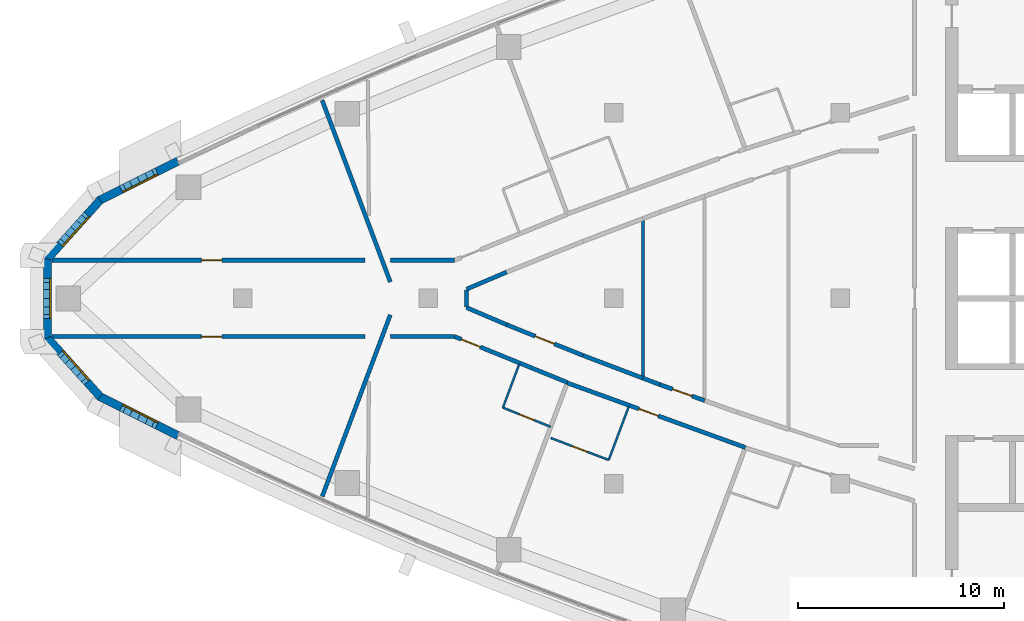
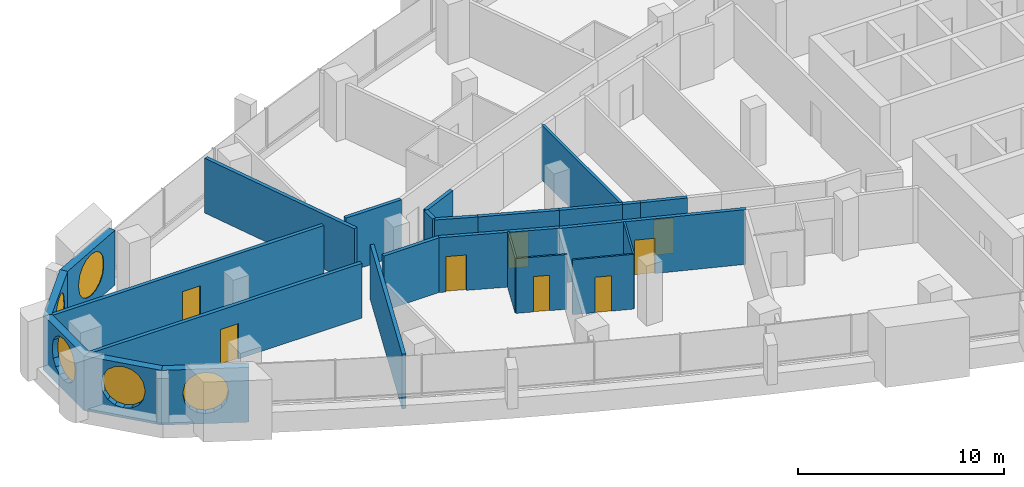
# One storey, part 8 of 15: 25 walls, 8 doors, 5 windows, 13 openings.
"""IFC4 building model written with IfcOpenShell, lengths in metres."""

from ifc_helpers import new_model, si_unit, direction, frame, frame_2d, origin, place, context, subcontext, project, spatial, polyline, rectangle, outline, extrude, material, layer, layer_set, type_object, element, fill, save


model = new_model("IFC4")

# Units and contexts
model_context = context("Model", 3, precision=1e-05, world=origin(), true_north=direction((0.0, 1.0)))
body_context = subcontext(model_context, "Body", "Model", "MODEL_VIEW")
ifc_project = project(units=[si_unit("LENGTHUNIT", "METRE"), si_unit("AREAUNIT", "SQUARE_METRE"), si_unit("VOLUMEUNIT", "CUBIC_METRE"), si_unit("PLANEANGLEUNIT", "RADIAN"), si_unit("MASSUNIT", "GRAM", prefix="KILO")], contexts=[model_context])

# Site, building, storey
site_placement = place(None, origin())
site = spatial("IfcSite", under=ifc_project, at=site_placement, CompositionType="ELEMENT")
building_placement = place(site_placement, origin())
building = spatial("IfcBuilding", under=site, at=building_placement, Name="Ostrand Prow Hotel Tower", CompositionType="ELEMENT")
storey_placement = place(building_placement, frame((0.0, 0.0, 242.10009765625)))
storey = spatial("IfcBuildingStorey", under=building, at=storey_placement, Name="L61", CompositionType="ELEMENT", Elevation=242.10009765625)

# Wall
ifc_material_1 = material(Name="Plasterboard partition")
ifc_layer_1 = layer(ifc_material_1, 0.10009765625)
ifc_layer_set_1 = layer_set([ifc_layer_1], Name="Plasterboard partition")
wall_type_1 = type_object("IfcWallType", Name="Partition 100 bathroom wall", PredefinedType="PARTITIONING", material=ifc_layer_set_1)
wall_1_placement = place(storey_placement, frame((28.617919921875, -5.30078125, 0.0), z_axis=(0.0, 0.0, 1.0), x_axis=(0.351064703731, 0.936351202164, 0.0)))
element("IfcWall", 1, at=wall_1_placement, inside=storey, type_object=wall_type_1, Name="BATHROOM WALL", PredefinedType="PARTITIONING", context=body_context, shape_type="SweptSolid", body=[
    extrude(rectangle(XDim=2.277587890625, YDim=0.10009765625, at=frame_2d((1.138671875, 0.0))), origin(), (0.0, 0.0, 1.0), 3.25),
])

# Wall, opening, door
wall_2_placement = place(storey_placement, frame((30.9375, -6.235107421875, 0.0), z_axis=(0.0, 0.0, 1.0), x_axis=(-0.92761232595, 0.373544338394, 0.0)))
wall_2 = element("IfcWall", 2, at=wall_2_placement, inside=storey, type_object=wall_type_1, Name="BATHROOM WALL", PredefinedType="PARTITIONING", context=body_context, shape_type="SweptSolid", body=[
    extrude(rectangle(XDim=2.50048828125, YDim=0.10009765625, at=frame_2d((1.250244140625, 0.0))), origin(), (0.0, 0.0, 1.0), 3.25),
])
opening_1_placement = place(wall_2_placement, frame((0.85009765625, 0.0, 0.0)))
opening_1 = element("IfcOpeningElement", 3, at=opening_1_placement, cuts=wall_2, Name="Opening D2", PredefinedType="OPENING", context=body_context, shape_type="SweptSolid", body=[
    extrude(rectangle(XDim=0.800048828125, YDim=2.10009765625, at=frame_2d((0.39990234375, 1.050048828125))), frame((0.0, 0.06005859375, 0.0), z_axis=(0.0, -1.0, 0.0), x_axis=(1.0, 0.0, 0.0)), (0.0, 0.0, 1.0), 0.1201171875),
])
ifc_material_2 = material(Name="Timber door leaf", Category="wood")
door_type_1 = type_object("IfcDoorType", Name="Bathroom door 800", OperationType="SINGLE_SWING_LEFT", PredefinedType="DOOR", material=ifc_material_2)
door_1_placement = place(opening_1_placement, origin())
door_1 = element("IfcDoor", 4, at=door_1_placement, inside=storey, type_object=door_type_1, Name="DOOR", OperationType="SINGLE_SWING_LEFT", OverallHeight=2.10009765625, OverallWidth=0.800048828125, PredefinedType="DOOR", context=body_context, shape_type="SweptSolid", body=[
    extrude(rectangle(XDim=0.800048828125, YDim=2.10009765625, at=frame_2d((0.39990234375, 1.050048828125))), frame((0.0, 0.02490234375, 0.0), z_axis=(0.0, -1.0, 0.0), x_axis=(1.0, 0.0, 0.0)), (0.0, 0.0, 1.0), 0.050048828125),
])
fill(opening_1, door_1)

# Wall
wall_3_placement = place(storey_placement, frame((34.7275390625, -5.241943359375, 0.0), z_axis=(0.0, 0.0, 1.0), x_axis=(-0.351113807562, -0.936332790272, 0.0)))
element("IfcWall", 5, at=wall_3_placement, inside=storey, type_object=wall_type_1, Name="BATHROOM WALL", PredefinedType="PARTITIONING", context=body_context, shape_type="SweptSolid", body=[
    extrude(rectangle(XDim=2.777099609375, YDim=0.10009765625, at=frame_2d((1.388671875, 0.0))), origin(), (0.0, 0.0, 1.0), 3.25),
])

# Wall, opening, door
wall_4_placement = place(storey_placement, frame((33.752197265625, -7.84228515625, 0.0), z_axis=(0.0, 0.0, 1.0), x_axis=(-0.934929871592, 0.354832545302, 0.0)))
wall_4 = element("IfcWall", 6, at=wall_4_placement, inside=storey, type_object=wall_type_1, Name="BATHROOM WALL", PredefinedType="PARTITIONING", context=body_context, shape_type="SweptSolid", body=[
    extrude(rectangle(XDim=3.012939453125, YDim=0.10009765625, at=frame_2d((1.50634765625, 0.0))), origin(), (0.0, 0.0, 1.0), 3.25),
])
opening_2_placement = place(wall_4_placement, frame((1.10009765625, 0.0, 0.0)))
opening_2 = element("IfcOpeningElement", 7, at=opening_2_placement, cuts=wall_4, Name="Opening D2", PredefinedType="OPENING", context=body_context, shape_type="SweptSolid", body=[
    extrude(rectangle(XDim=0.800048828125, YDim=2.10009765625, at=frame_2d((0.39990234375, 1.050048828125))), frame((0.0, 0.06005859375, 0.0), z_axis=(0.0, -1.0, 0.0), x_axis=(1.0, 0.0, 0.0)), (0.0, 0.0, 1.0), 0.1201171875),
])
door_2_placement = place(opening_2_placement, origin())
door_2 = element("IfcDoor", 8, at=door_2_placement, inside=storey, type_object=door_type_1, Name="DOOR", OperationType="SINGLE_SWING_LEFT", OverallHeight=2.10009765625, OverallWidth=0.800048828125, PredefinedType="DOOR", context=body_context, shape_type="SweptSolid", body=[
    extrude(rectangle(XDim=0.800048828125, YDim=2.10009765625, at=frame_2d((0.39990234375, 1.050048828125))), frame((0.0, 0.02490234375, 0.0), z_axis=(0.0, -1.0, 0.0), x_axis=(1.0, 0.0, 0.0)), (0.0, 0.0, 1.0), 0.050048828125),
])
fill(opening_2, door_2)

# Wall
ifc_material_3 = material(Name="Plasterboard partition")
ifc_layer_2 = layer(ifc_material_3, 0.14990234375)
ifc_layer_set_2 = layer_set([ifc_layer_2], Name="Plasterboard partition")
wall_type_2 = type_object("IfcWallType", Name="Partition 150 room partition", PredefinedType="PARTITIONING", material=ifc_layer_set_2)
wall_5_placement = place(storey_placement, frame((35.409912109375, -3.871826171875, 0.0), z_axis=(0.0, 0.0, 1.0), x_axis=(0.0, 1.0, 0.0)))
element("IfcWall", 9, at=wall_5_placement, inside=storey, type_object=wall_type_2, Name="ROOM PARTITION", PredefinedType="PARTITIONING", context=body_context, shape_type="SweptSolid", body=[
    extrude(rectangle(XDim=7.74365234375, YDim=0.14990234375, at=frame_2d((3.871826171875, 0.0))), origin(), (0.0, 0.0, 1.0), 3.25),
])

# Wall, opening, door
ifc_material_4 = material(Name="Plasterboard partition")
ifc_layer_3 = layer(ifc_material_4, 0.199951171875)
ifc_layer_set_3 = layer_set([ifc_layer_3], Name="Plasterboard partition")
wall_type_3 = type_object("IfcWallType", Name="Partition 200 corridor wall", PredefinedType="PARTITIONING", material=ifc_layer_set_3)
wall_6_placement = place(storey_placement, frame((6.724609375, 1.85009765625, 0.0), z_axis=(0.0, 0.0, 1.0), x_axis=(1.0, 0.0, 0.0)))
wall_6 = element("IfcWall", 10, at=wall_6_placement, inside=storey, type_object=wall_type_3, Name="CORRIDOR WALL", PredefinedType="PARTITIONING", context=body_context, shape_type="SweptSolid", body=[
    extrude(rectangle(XDim=15.187744140625, YDim=0.199951171875, at=frame_2d((7.59375, 0.0))), origin(), (0.0, 0.0, 1.0), 3.25),
])
opening_3_placement = place(wall_6_placement, frame((7.257080078125, 0.0, 0.0)))
opening_3 = element("IfcOpeningElement", 11, at=opening_3_placement, cuts=wall_6, Name="Opening D1", PredefinedType="OPENING", context=body_context, shape_type="SweptSolid", body=[
    extrude(rectangle(XDim=1.0, YDim=2.10009765625, at=frame_2d((0.5, 1.050048828125))), frame((0.0, 0.10986328125, 0.0), z_axis=(0.0, -1.0, 0.0), x_axis=(1.0, 0.0, 0.0)), (0.0, 0.0, 1.0), 0.219970703125),
])
ifc_material_5 = material(Name="Timber door leaf", Category="wood")
door_type_2 = type_object("IfcDoorType", Name="Guest room door 1000", OperationType="SINGLE_SWING_LEFT", PredefinedType="DOOR", material=ifc_material_5)
door_3_placement = place(opening_3_placement, origin())
door_3 = element("IfcDoor", 12, at=door_3_placement, inside=storey, type_object=door_type_2, Name="DOOR", OperationType="SINGLE_SWING_LEFT", OverallHeight=2.10009765625, OverallWidth=1.0, PredefinedType="DOOR", context=body_context, shape_type="SweptSolid", body=[
    extrude(rectangle(XDim=1.0, YDim=2.10009765625, at=frame_2d((0.5, 1.050048828125))), frame((0.0, 0.02490234375, 0.0), z_axis=(0.0, -1.0, 0.0), x_axis=(1.0, 0.0, 0.0)), (0.0, 0.0, 1.0), 0.050048828125),
])
fill(opening_3, door_3)

wall_7_placement = place(storey_placement, frame((6.724609375, -1.85009765625, 0.0), z_axis=(0.0, 0.0, 1.0), x_axis=(1.0, 0.0, 0.0)))
wall_7 = element("IfcWall", 13, at=wall_7_placement, inside=storey, type_object=wall_type_3, Name="CORRIDOR WALL", PredefinedType="PARTITIONING", context=body_context, shape_type="SweptSolid", body=[
    extrude(rectangle(XDim=15.187744140625, YDim=0.199951171875, at=frame_2d((7.59375, 0.0))), origin(), (0.0, 0.0, 1.0), 3.25),
])
opening_4_placement = place(wall_7_placement, frame((7.257080078125, 0.0, 0.0)))
opening_4 = element("IfcOpeningElement", 14, at=opening_4_placement, cuts=wall_7, Name="Opening D1R", PredefinedType="OPENING", context=body_context, shape_type="SweptSolid", body=[
    extrude(rectangle(XDim=1.0, YDim=2.10009765625, at=frame_2d((0.5, 1.050048828125))), frame((0.0, 0.10986328125, 0.0), z_axis=(0.0, -1.0, 0.0), x_axis=(1.0, 0.0, 0.0)), (0.0, 0.0, 1.0), 0.219970703125),
])
ifc_material_6 = material(Name="Timber door leaf", Category="wood")
door_type_3 = type_object("IfcDoorType", Name="Guest room door 1000 right", OperationType="SINGLE_SWING_RIGHT", PredefinedType="DOOR", material=ifc_material_6)
door_4_placement = place(opening_4_placement, origin())
door_4 = element("IfcDoor", 15, at=door_4_placement, inside=storey, type_object=door_type_3, Name="DOOR", OperationType="SINGLE_SWING_RIGHT", OverallHeight=2.10009765625, OverallWidth=1.0, PredefinedType="DOOR", context=body_context, shape_type="SweptSolid", body=[
    extrude(rectangle(XDim=1.0, YDim=2.10009765625, at=frame_2d((0.5, 1.050048828125))), frame((0.0, 0.02490234375, 0.0), z_axis=(0.0, -1.0, 0.0), x_axis=(1.0, 0.0, 0.0)), (0.0, 0.0, 1.0), 0.050048828125),
])
fill(opening_4, door_4)

wall_8_placement = place(storey_placement, frame((26.265869140625, -1.85009765625, 0.0), z_axis=(0.0, 0.0, 1.0), x_axis=(0.926191125494, -0.377054371486, 0.0)))
wall_8 = element("IfcWall", 16, at=wall_8_placement, inside=storey, type_object=wall_type_3, Name="CORRIDOR WALL", PredefinedType="PARTITIONING", context=body_context, shape_type="SweptSolid", body=[
    extrude(rectangle(XDim=5.916259765625, YDim=0.199951171875, at=frame_2d((2.9580078125, 0.0))), origin(), (0.0, 0.0, 1.0), 3.25),
])
opening_5_placement = place(wall_8_placement, frame((0.35009765625, 0.0, 0.0)))
opening_5 = element("IfcOpeningElement", 17, at=opening_5_placement, cuts=wall_8, Name="Opening D1R", PredefinedType="OPENING", context=body_context, shape_type="SweptSolid", body=[
    extrude(rectangle(XDim=1.0, YDim=2.10009765625, at=frame_2d((0.5, 1.050048828125))), frame((0.0, 0.10986328125, 0.0), z_axis=(0.0, -1.0, 0.0), x_axis=(1.0, 0.0, 0.0)), (0.0, 0.0, 1.0), 0.219970703125),
])
door_5_placement = place(opening_5_placement, origin())
door_5 = element("IfcDoor", 18, at=door_5_placement, inside=storey, type_object=door_type_3, Name="DOOR", OperationType="SINGLE_SWING_RIGHT", OverallHeight=2.10009765625, OverallWidth=1.0, PredefinedType="DOOR", context=body_context, shape_type="SweptSolid", body=[
    extrude(rectangle(XDim=1.0, YDim=2.10009765625, at=frame_2d((0.5, 1.050048828125))), frame((0.0, 0.02490234375, 0.0), z_axis=(0.0, -1.0, 0.0), x_axis=(1.0, 0.0, 0.0)), (0.0, 0.0, 1.0), 0.050048828125),
])
fill(opening_5, door_5)

wall_9_placement = place(storey_placement, frame((31.73828125, -4.099609375, 0.0), z_axis=(0.0, 0.0, 1.0), x_axis=(0.940010170527, -0.341146419159, 0.0)))
wall_9 = element("IfcWall", 19, at=wall_9_placement, inside=storey, type_object=wall_type_3, Name="CORRIDOR WALL", PredefinedType="PARTITIONING", context=body_context, shape_type="SweptSolid", body=[
    extrude(rectangle(XDim=9.200439453125, YDim=0.199951171875, at=frame_2d((4.60009765625, 0.0))), origin(), (0.0, 0.0, 1.0), 3.25),
])
opening_6_placement = place(wall_9_placement, frame((3.699951171875, 0.0, 0.0)))
opening_6 = element("IfcOpeningElement", 20, at=opening_6_placement, cuts=wall_9, Name="Opening D1R", PredefinedType="OPENING", context=body_context, shape_type="SweptSolid", body=[
    extrude(rectangle(XDim=1.0, YDim=2.10009765625, at=frame_2d((0.5, 1.050048828125))), frame((0.0, 0.10986328125, 0.0), z_axis=(0.0, -1.0, 0.0), x_axis=(1.0, 0.0, 0.0)), (0.0, 0.0, 1.0), 0.219970703125),
])
door_6_placement = place(opening_6_placement, origin())
door_6 = element("IfcDoor", 21, at=door_6_placement, inside=storey, type_object=door_type_3, Name="DOOR", OperationType="SINGLE_SWING_RIGHT", OverallHeight=2.10009765625, OverallWidth=1.0, PredefinedType="DOOR", context=body_context, shape_type="SweptSolid", body=[
    extrude(rectangle(XDim=1.0, YDim=2.10009765625, at=frame_2d((0.5, 1.050048828125))), frame((0.0, 0.02490234375, 0.0), z_axis=(0.0, -1.0, 0.0), x_axis=(1.0, 0.0, 0.0)), (0.0, 0.0, 1.0), 0.050048828125),
])
fill(opening_6, door_6)

wall_10_placement = place(storey_placement, frame((32.50146484375, -2.768310546875, 0.0), z_axis=(0.0, 0.0, 1.0), x_axis=(-0.927622894464, 0.373518092823, 0.0)))
wall_10 = element("IfcWall", 22, at=wall_10_placement, inside=storey, type_object=wall_type_3, Name="CORRIDOR WALL", PredefinedType="PARTITIONING", context=body_context, shape_type="SweptSolid", body=[
    extrude(rectangle(XDim=3.994873046875, YDim=0.199951171875, at=frame_2d((1.99755859375, 0.0))), origin(), (0.0, 0.0, 1.0), 3.25),
])
opening_7_placement = place(wall_10_placement, frame((1.49755859375, 0.0, 0.0)))
opening_7 = element("IfcOpeningElement", 23, at=opening_7_placement, cuts=wall_10, Name="Opening D1", PredefinedType="OPENING", context=body_context, shape_type="SweptSolid", body=[
    extrude(rectangle(XDim=1.0, YDim=2.10009765625, at=frame_2d((0.5, 1.050048828125))), frame((0.0, 0.10986328125, 0.0), z_axis=(0.0, -1.0, 0.0), x_axis=(1.0, 0.0, 0.0)), (0.0, 0.0, 1.0), 0.219970703125),
])
door_7_placement = place(opening_7_placement, origin())
door_7 = element("IfcDoor", 24, at=door_7_placement, inside=storey, type_object=door_type_2, Name="DOOR", OperationType="SINGLE_SWING_LEFT", OverallHeight=2.10009765625, OverallWidth=1.0, PredefinedType="DOOR", context=body_context, shape_type="SweptSolid", body=[
    extrude(rectangle(XDim=1.0, YDim=2.10009765625, at=frame_2d((0.5, 1.050048828125))), frame((0.0, 0.02490234375, 0.0), z_axis=(0.0, -1.0, 0.0), x_axis=(1.0, 0.0, 0.0)), (0.0, 0.0, 1.0), 0.050048828125),
])
fill(opening_7, door_7)

# Walls
for number, where, z_axis, x_axis, name in (
    (25, (28.795654296875, -1.276123046875, 0.0), (0.0, 0.0, 1.0), (-0.91990756443, 0.392135273732, 0.0), "CORRIDOR WALL"),
    (26, (26.85009765625, 0.44677734375, 0.0), (0.0, 0.0, 1.0), (0.91990756443, 0.392135273732, 0.0), "CORRIDOR WALL"),
):
    element("IfcWall", number, at=place(storey_placement, frame(where, z_axis=z_axis, x_axis=x_axis)), inside=storey, type_object=wall_type_3, Name=name, PredefinedType="PARTITIONING", context=body_context, shape_type="SweptSolid", body=[
        extrude(rectangle(XDim=2.114990234375, YDim=0.199951171875, at=frame_2d((1.0576171875, 0.0))), origin(), (0.0, 0.0, 1.0), 3.25),
    ])
wall_11_placement = place(storey_placement, frame((35.409912109375, -3.871826171875, 0.0), z_axis=(0.0, 0.0, 1.0), x_axis=(-0.934964318004, 0.354741770954, 0.0)))
element("IfcWall", 27, at=wall_11_placement, inside=storey, type_object=wall_type_3, Name="CORRIDOR WALL", PredefinedType="PARTITIONING", context=body_context, shape_type="SweptSolid", body=[
    extrude(rectangle(XDim=3.11083984375, YDim=0.199951171875, at=frame_2d((1.555419921875, 0.0))), origin(), (0.0, 0.0, 1.0), 3.25),
])

# Wall, opening, door
wall_12_placement = place(storey_placement, frame((38.409912109375, -4.960693359375, 0.0), z_axis=(0.0, 0.0, 1.0), x_axis=(-0.941897392466, 0.335900732459, 0.0)))
wall_12 = element("IfcWall", 28, at=wall_12_placement, inside=storey, type_object=wall_type_3, Name="CORRIDOR WALL", PredefinedType="PARTITIONING", context=body_context, shape_type="SweptSolid", body=[
    extrude(rectangle(XDim=2.3076171875, YDim=0.199951171875, at=frame_2d((1.15380859375, 0.0))), origin(), (0.0, 0.0, 1.0), 3.25),
])
opening_8_placement = place(wall_12_placement, frame((0.65380859375, 0.0, 0.0)))
opening_8 = element("IfcOpeningElement", 29, at=opening_8_placement, cuts=wall_12, Name="Opening D1R", PredefinedType="OPENING", context=body_context, shape_type="SweptSolid", body=[
    extrude(rectangle(XDim=1.0, YDim=2.10009765625, at=frame_2d((0.5, 1.050048828125))), frame((0.0, 0.10986328125, 0.0), z_axis=(0.0, -1.0, 0.0), x_axis=(1.0, 0.0, 0.0)), (0.0, 0.0, 1.0), 0.219970703125),
])
door_8_placement = place(opening_8_placement, origin())
door_8 = element("IfcDoor", 30, at=door_8_placement, inside=storey, type_object=door_type_3, Name="DOOR", OperationType="SINGLE_SWING_RIGHT", OverallHeight=2.10009765625, OverallWidth=1.0, PredefinedType="DOOR", context=body_context, shape_type="SweptSolid", body=[
    extrude(rectangle(XDim=1.0, YDim=2.10009765625, at=frame_2d((0.5, 1.050048828125))), frame((0.0, 0.02490234375, 0.0), z_axis=(0.0, -1.0, 0.0), x_axis=(1.0, 0.0, 0.0)), (0.0, 0.0, 1.0), 0.050048828125),
])
fill(opening_8, door_8)

# Walls
wall_13_placement = place(storey_placement, frame((36.236328125, -4.185546875, 0.0), z_axis=(0.0, 0.0, 1.0), x_axis=(-0.934902750064, 0.354903998178, 0.0)))
element("IfcWall", 31, at=wall_13_placement, inside=storey, type_object=wall_type_3, Name="CORRIDOR WALL", PredefinedType="PARTITIONING", context=body_context, shape_type="SweptSolid", body=[
    extrude(rectangle(XDim=0.884033203125, YDim=0.199951171875, at=frame_2d((0.44189453125, 0.0))), origin(), (0.0, 0.0, 1.0), 3.25),
])
wall_14_placement = place(storey_placement, frame((26.85498046875, -0.406982421875, 0.0), z_axis=(0.0, 0.0, 1.0), x_axis=(0.0, 1.0, 0.0)))
element("IfcWall", 32, at=wall_14_placement, inside=storey, type_object=wall_type_3, Name="CORRIDOR WALL", PredefinedType="PARTITIONING", context=body_context, shape_type="SweptSolid", body=[
    extrude(rectangle(XDim=0.81396484375, YDim=0.199951171875, at=frame_2d((0.406982421875, 0.0))), origin(), (0.0, 0.0, 1.0), 3.25),
])
for number, where, z_axis, x_axis, name in (
    (33, (26.265869140625, 1.85009765625, 0.0), (0.0, 0.0, 1.0), (-0.999999006581, 0.001409552241, 0.0), "CORRIDOR WALL"),
    (34, (23.148193359375, -1.8544921875, 0.0), (0.0, 0.0, 1.0), (0.999999006581, 0.001409552241, 0.0), "CORRIDOR WALL"),
):
    element("IfcWall", number, at=place(storey_placement, frame(where, z_axis=z_axis, x_axis=x_axis)), inside=storey, type_object=wall_type_3, Name=name, PredefinedType="PARTITIONING", context=body_context, shape_type="SweptSolid", body=[
        extrude(rectangle(XDim=3.11767578125, YDim=0.199951171875, at=frame_2d((1.558837890625, 0.0))), origin(), (0.0, 0.0, 1.0), 3.25),
    ])
ifc_material_7 = material(Name="Plasterboard partition")
ifc_layer_4 = layer(ifc_material_7, 0.199951171875)
ifc_layer_set_4 = layer_set([ifc_layer_4], Name="Plasterboard partition")
wall_type_4 = type_object("IfcWallType", Name="Partition 200 key partition", PredefinedType="PARTITIONING", material=ifc_layer_set_4)
for number, where, z_axis, x_axis, name in (
    (35, (23.14990234375, 0.800048828125, 0.0), (0.0, 0.0, 1.0), (-0.351123441588, 0.936329177569, 0.0), "KEY PARTITION"),
    (36, (19.84375, -9.616455078125, 0.0), (0.0, 0.0, 1.0), (0.351123441588, 0.936329177569, 0.0), "KEY PARTITION"),
):
    element("IfcWall", number, at=place(storey_placement, frame(where, z_axis=z_axis, x_axis=x_axis)), inside=storey, type_object=wall_type_4, Name=name, PredefinedType="PARTITIONING", context=body_context, shape_type="SweptSolid", body=[
        extrude(rectangle(XDim=9.416015625, YDim=0.199951171875, at=frame_2d((4.7080078125, 0.0))), origin(), (0.0, 0.0, 1.0), 3.25),
    ])

# Wall, opening, window
ifc_material_8 = material(Name="Precast concrete C40/50", Category="concrete")
ifc_layer_5 = layer(ifc_material_8, 0.39990234375)
ifc_layer_set_5 = layer_set([ifc_layer_5], Name="Precast concrete C40/50")
wall_type_5 = type_object("IfcWallType", Name="Stone-faced precast wall 400 mm", PredefinedType="NOTDEFINED", material=ifc_layer_set_5)
wall_15_placement = place(storey_placement, frame((12.849365234375, 6.66064453125, 0.0), z_axis=(0.0, 0.0, 1.0), x_axis=(-0.894554263274, -0.446959360634, 0.0)))
wall_15 = element("IfcWall", 37, at=wall_15_placement, inside=storey, type_object=wall_type_5, Name="Stone-faced wall prow 1", PredefinedType="NOTDEFINED", context=body_context, shape_type="SweptSolid", body=[
    extrude(outline(polyline([(0.0, -0.199951171875), (4.263671875, -0.199951171875), (4.1875, 0.199951171875), (0.0, 0.199951171875), (0.0, -0.199951171875)])), origin(), (0.0, 0.0, 1.0), 3.25),
])
opening_9_placement = place(wall_15_placement, frame((1.012939453125, 0.0, 0.60009765625)))
opening_9 = element("IfcOpeningElement", 38, at=opening_9_placement, cuts=wall_15, Name="Opening WP1", PredefinedType="OPENING", context=body_context, shape_type="SweptSolid", body=[
    extrude(outline(polyline([(0.0, 1.35009765625), (0.083740234375, 1.77099609375), (0.322265625, 2.127685546875), (0.678955078125, 2.3662109375), (1.10009765625, 2.449951171875), (1.52099609375, 2.3662109375), (1.877685546875, 2.127685546875), (2.1162109375, 1.77099609375), (2.199951171875, 1.35009765625), (2.199951171875, 1.10009765625), (2.1162109375, 0.678955078125), (1.877685546875, 0.322265625), (1.52099609375, 0.083740234375), (1.10009765625, 0.0), (0.678955078125, 0.083740234375), (0.322265625, 0.322265625), (0.083740234375, 0.678955078125), (0.0, 1.099853515625), (0.0, 1.35009765625)])), frame((0.0, 0.2099609375, 0.0), z_axis=(0.0, -1.0, 0.0), x_axis=(1.0, 0.0, 0.0)), (0.0, 0.0, 1.0), 0.419921875),
])
ifc_material_9 = material(Name="Insulated glass in bronze frame", Category="glass")
window_type = type_object("IfcWindowType", Name="Round-ended prow window 2200x2450", PartitioningType="SINGLE_PANEL", PredefinedType="WINDOW", material=ifc_material_9)
window_1_placement = place(opening_9_placement, origin())
window_1 = element("IfcWindow", 39, at=window_1_placement, inside=storey, type_object=window_type, Name="Window prow 1.1", OverallHeight=2.449951171875, OverallWidth=2.199951171875, PartitioningType="SINGLE_PANEL", PredefinedType="WINDOW", context=body_context, shape_type="SweptSolid", body=[
    extrude(outline(polyline([(0.0, 1.35009765625), (0.083740234375, 1.77099609375), (0.322265625, 2.127685546875), (0.678955078125, 2.3662109375), (1.10009765625, 2.449951171875), (1.52099609375, 2.3662109375), (1.877685546875, 2.127685546875), (2.1162109375, 1.77099609375), (2.199951171875, 1.35009765625), (2.199951171875, 1.10009765625), (2.1162109375, 0.678955078125), (1.877685546875, 0.322265625), (1.52099609375, 0.083740234375), (1.10009765625, 0.0), (0.678955078125, 0.083740234375), (0.322265625, 0.322265625), (0.083740234375, 0.678955078125), (0.0, 1.099853515625), (0.0, 1.35009765625)])), frame((0.0, 0.169921875, 0.0), z_axis=(0.0, -1.0, 0.0), x_axis=(1.0, 0.0, 0.0)), (0.0, 0.0, 1.0), 0.06005859375),
])
fill(opening_9, window_1)

wall_16_placement = place(storey_placement, frame((9.0693359375, 4.77197265625, 0.0), z_axis=(0.0, 0.0, 1.0), x_axis=(-0.668018215058, -0.744144921605, 0.0)))
wall_16 = element("IfcWall", 40, at=wall_16_placement, inside=storey, type_object=wall_type_5, Name="Stone-faced wall prow 2", PredefinedType="NOTDEFINED", context=body_context, shape_type="SweptSolid", body=[
    extrude(outline(polyline([(-0.0380859375, -0.199951171875), (3.912353515625, -0.199951171875), (3.759033203125, 0.199951171875), (0.0380859375, 0.199951171875), (-0.0380859375, -0.199951171875)])), origin(), (0.0, 0.0, 1.0), 3.25),
])
opening_10_placement = place(wall_16_placement, frame((0.81787109375, 0.0, 0.60009765625)))
opening_10 = element("IfcOpeningElement", 41, at=opening_10_placement, cuts=wall_16, Name="Opening WP1", PredefinedType="OPENING", context=body_context, shape_type="SweptSolid", body=[
    extrude(outline(polyline([(0.0, 1.35009765625), (0.083740234375, 1.77099609375), (0.322265625, 2.127685546875), (0.678955078125, 2.3662109375), (1.10009765625, 2.449951171875), (1.52099609375, 2.3662109375), (1.877685546875, 2.127685546875), (2.1162109375, 1.77099609375), (2.199951171875, 1.35009765625), (2.199951171875, 1.10009765625), (2.1162109375, 0.678955078125), (1.877685546875, 0.322265625), (1.52099609375, 0.083740234375), (1.10009765625, 0.0), (0.678955078125, 0.083740234375), (0.322265625, 0.322265625), (0.083740234375, 0.678955078125), (0.0, 1.099853515625), (0.0, 1.35009765625)])), frame((0.0, 0.2099609375, 0.0), z_axis=(0.0, -1.0, 0.0), x_axis=(1.0, 0.0, 0.0)), (0.0, 0.0, 1.0), 0.419921875),
])
window_2_placement = place(opening_10_placement, origin())
window_2 = element("IfcWindow", 42, at=window_2_placement, inside=storey, type_object=window_type, Name="Window prow 2.1", OverallHeight=2.449951171875, OverallWidth=2.199951171875, PartitioningType="SINGLE_PANEL", PredefinedType="WINDOW", context=body_context, shape_type="SweptSolid", body=[
    extrude(outline(polyline([(0.0, 1.35009765625), (0.083740234375, 1.77099609375), (0.322265625, 2.127685546875), (0.678955078125, 2.3662109375), (1.10009765625, 2.449951171875), (1.52099609375, 2.3662109375), (1.877685546875, 2.127685546875), (2.1162109375, 1.77099609375), (2.199951171875, 1.35009765625), (2.199951171875, 1.10009765625), (2.1162109375, 0.678955078125), (1.877685546875, 0.322265625), (1.52099609375, 0.083740234375), (1.10009765625, 0.0), (0.678955078125, 0.083740234375), (0.322265625, 0.322265625), (0.083740234375, 0.678955078125), (0.0, 1.099853515625), (0.0, 1.35009765625)])), frame((0.0, 0.169921875, 0.0), z_axis=(0.0, -1.0, 0.0), x_axis=(1.0, 0.0, 0.0)), (0.0, 0.0, 1.0), 0.06005859375),
])
fill(opening_10, window_2)

wall_17_placement = place(storey_placement, frame((6.507080078125, 1.917724609375, 0.0), z_axis=(0.0, 0.0, 1.0), x_axis=(0.0, -1.0, 0.0)))
wall_17 = element("IfcWall", 43, at=wall_17_placement, inside=storey, type_object=wall_type_5, Name="Stone-faced wall prow 3", PredefinedType="NOTDEFINED", context=body_context, shape_type="SweptSolid", body=[
    extrude(outline(polyline([(-0.07666015625, -0.199951171875), (3.912109375, -0.199951171875), (3.7587890625, 0.199951171875), (0.07666015625, 0.199951171875), (-0.07666015625, -0.199951171875)])), origin(), (0.0, 0.0, 1.0), 3.25),
])
opening_11_placement = place(wall_17_placement, frame((0.81787109375, 0.0, 0.60009765625)))
opening_11 = element("IfcOpeningElement", 44, at=opening_11_placement, cuts=wall_17, Name="Opening WP1", PredefinedType="OPENING", context=body_context, shape_type="SweptSolid", body=[
    extrude(outline(polyline([(0.0, 1.35009765625), (0.083740234375, 1.77099609375), (0.322265625, 2.127685546875), (0.678955078125, 2.3662109375), (1.10009765625, 2.449951171875), (1.52099609375, 2.3662109375), (1.877685546875, 2.127685546875), (2.1162109375, 1.77099609375), (2.199951171875, 1.35009765625), (2.199951171875, 1.10009765625), (2.1162109375, 0.678955078125), (1.877685546875, 0.322265625), (1.52099609375, 0.083740234375), (1.10009765625, 0.0), (0.678955078125, 0.083740234375), (0.322265625, 0.322265625), (0.083740234375, 0.678955078125), (0.0, 1.099853515625), (0.0, 1.35009765625)])), frame((0.0, 0.2099609375, 0.0), z_axis=(0.0, -1.0, 0.0), x_axis=(1.0, 0.0, 0.0)), (0.0, 0.0, 1.0), 0.419921875),
])
window_3_placement = place(opening_11_placement, origin())
window_3 = element("IfcWindow", 45, at=window_3_placement, inside=storey, type_object=window_type, Name="Window prow 3.1", OverallHeight=2.449951171875, OverallWidth=2.199951171875, PartitioningType="SINGLE_PANEL", PredefinedType="WINDOW", context=body_context, shape_type="SweptSolid", body=[
    extrude(outline(polyline([(0.0, 1.35009765625), (0.083740234375, 1.77099609375), (0.322265625, 2.127685546875), (0.678955078125, 2.3662109375), (1.10009765625, 2.449951171875), (1.52099609375, 2.3662109375), (1.877685546875, 2.127685546875), (2.1162109375, 1.77099609375), (2.199951171875, 1.35009765625), (2.199951171875, 1.10009765625), (2.1162109375, 0.678955078125), (1.877685546875, 0.322265625), (1.52099609375, 0.083740234375), (1.10009765625, 0.0), (0.678955078125, 0.083740234375), (0.322265625, 0.322265625), (0.083740234375, 0.678955078125), (0.0, 1.099853515625), (0.0, 1.35009765625)])), frame((0.0, 0.169921875, 0.0), z_axis=(0.0, -1.0, 0.0), x_axis=(1.0, 0.0, 0.0)), (0.0, 0.0, 1.0), 0.06005859375),
])
fill(opening_11, window_3)

wall_18_placement = place(storey_placement, frame((6.507080078125, -1.917724609375, 0.0), z_axis=(0.0, 0.0, 1.0), x_axis=(0.668018215058, -0.744144921605, 0.0)))
wall_18 = element("IfcWall", 46, at=wall_18_placement, inside=storey, type_object=wall_type_5, Name="Stone-faced wall prow 4", PredefinedType="NOTDEFINED", context=body_context, shape_type="SweptSolid", body=[
    extrude(outline(polyline([(-0.07666015625, -0.199951171875), (3.873779296875, -0.199951171875), (3.797607421875, 0.199951171875), (0.07666015625, 0.199951171875), (-0.07666015625, -0.199951171875)])), origin(), (0.0, 0.0, 1.0), 3.25),
])
opening_12_placement = place(wall_18_placement, frame((0.81787109375, 0.0, 0.60009765625)))
opening_12 = element("IfcOpeningElement", 47, at=opening_12_placement, cuts=wall_18, Name="Opening WP1", PredefinedType="OPENING", context=body_context, shape_type="SweptSolid", body=[
    extrude(outline(polyline([(0.0, 1.35009765625), (0.083740234375, 1.77099609375), (0.322265625, 2.127685546875), (0.678955078125, 2.3662109375), (1.10009765625, 2.449951171875), (1.52099609375, 2.3662109375), (1.877685546875, 2.127685546875), (2.1162109375, 1.77099609375), (2.199951171875, 1.35009765625), (2.199951171875, 1.10009765625), (2.1162109375, 0.678955078125), (1.877685546875, 0.322265625), (1.52099609375, 0.083740234375), (1.10009765625, 0.0), (0.678955078125, 0.083740234375), (0.322265625, 0.322265625), (0.083740234375, 0.678955078125), (0.0, 1.099853515625), (0.0, 1.35009765625)])), frame((0.0, 0.2099609375, 0.0), z_axis=(0.0, -1.0, 0.0), x_axis=(1.0, 0.0, 0.0)), (0.0, 0.0, 1.0), 0.419921875),
])
window_4_placement = place(opening_12_placement, origin())
window_4 = element("IfcWindow", 48, at=window_4_placement, inside=storey, type_object=window_type, Name="Window prow 4.1", OverallHeight=2.449951171875, OverallWidth=2.199951171875, PartitioningType="SINGLE_PANEL", PredefinedType="WINDOW", context=body_context, shape_type="SweptSolid", body=[
    extrude(outline(polyline([(0.0, 1.35009765625), (0.083740234375, 1.77099609375), (0.322265625, 2.127685546875), (0.678955078125, 2.3662109375), (1.10009765625, 2.449951171875), (1.52099609375, 2.3662109375), (1.877685546875, 2.127685546875), (2.1162109375, 1.77099609375), (2.199951171875, 1.35009765625), (2.199951171875, 1.10009765625), (2.1162109375, 0.678955078125), (1.877685546875, 0.322265625), (1.52099609375, 0.083740234375), (1.10009765625, 0.0), (0.678955078125, 0.083740234375), (0.322265625, 0.322265625), (0.083740234375, 0.678955078125), (0.0, 1.099853515625), (0.0, 1.35009765625)])), frame((0.0, 0.169921875, 0.0), z_axis=(0.0, -1.0, 0.0), x_axis=(1.0, 0.0, 0.0)), (0.0, 0.0, 1.0), 0.06005859375),
])
fill(opening_12, window_4)

wall_19_placement = place(storey_placement, frame((9.0693359375, -4.77197265625, 0.0), z_axis=(0.0, 0.0, 1.0), x_axis=(0.894554263274, -0.446959360634, 0.0)))
wall_19 = element("IfcWall", 49, at=wall_19_placement, inside=storey, type_object=wall_type_5, Name="Stone-faced wall prow 5", PredefinedType="NOTDEFINED", context=body_context, shape_type="SweptSolid", body=[
    extrude(outline(polyline([(-0.0380859375, -0.199951171875), (4.2255859375, -0.199951171875), (4.2255859375, 0.199951171875), (0.0380859375, 0.199951171875), (-0.0380859375, -0.199951171875)])), origin(), (0.0, 0.0, 1.0), 3.25),
])
opening_13_placement = place(wall_19_placement, frame((1.012939453125, 0.0, 0.60009765625)))
opening_13 = element("IfcOpeningElement", 50, at=opening_13_placement, cuts=wall_19, Name="Opening WP1", PredefinedType="OPENING", context=body_context, shape_type="SweptSolid", body=[
    extrude(outline(polyline([(0.0, 1.35009765625), (0.083740234375, 1.77099609375), (0.322265625, 2.127685546875), (0.678955078125, 2.3662109375), (1.10009765625, 2.449951171875), (1.52099609375, 2.3662109375), (1.877685546875, 2.127685546875), (2.1162109375, 1.77099609375), (2.199951171875, 1.35009765625), (2.199951171875, 1.10009765625), (2.1162109375, 0.678955078125), (1.877685546875, 0.322265625), (1.52099609375, 0.083740234375), (1.10009765625, 0.0), (0.678955078125, 0.083740234375), (0.322265625, 0.322265625), (0.083740234375, 0.678955078125), (0.0, 1.099853515625), (0.0, 1.35009765625)])), frame((0.0, 0.2099609375, 0.0), z_axis=(0.0, -1.0, 0.0), x_axis=(1.0, 0.0, 0.0)), (0.0, 0.0, 1.0), 0.419921875),
])
window_5_placement = place(opening_13_placement, origin())
window_5 = element("IfcWindow", 51, at=window_5_placement, inside=storey, type_object=window_type, Name="Window prow 5.1", OverallHeight=2.449951171875, OverallWidth=2.199951171875, PartitioningType="SINGLE_PANEL", PredefinedType="WINDOW", context=body_context, shape_type="SweptSolid", body=[
    extrude(outline(polyline([(0.0, 1.35009765625), (0.083740234375, 1.77099609375), (0.322265625, 2.127685546875), (0.678955078125, 2.3662109375), (1.10009765625, 2.449951171875), (1.52099609375, 2.3662109375), (1.877685546875, 2.127685546875), (2.1162109375, 1.77099609375), (2.199951171875, 1.35009765625), (2.199951171875, 1.10009765625), (2.1162109375, 0.678955078125), (1.877685546875, 0.322265625), (1.52099609375, 0.083740234375), (1.10009765625, 0.0), (0.678955078125, 0.083740234375), (0.322265625, 0.322265625), (0.083740234375, 0.678955078125), (0.0, 1.099853515625), (0.0, 1.35009765625)])), frame((0.0, 0.169921875, 0.0), z_axis=(0.0, -1.0, 0.0), x_axis=(1.0, 0.0, 0.0)), (0.0, 0.0, 1.0), 0.06005859375),
])
fill(opening_13, window_5)

save(model, "model.ifc")
